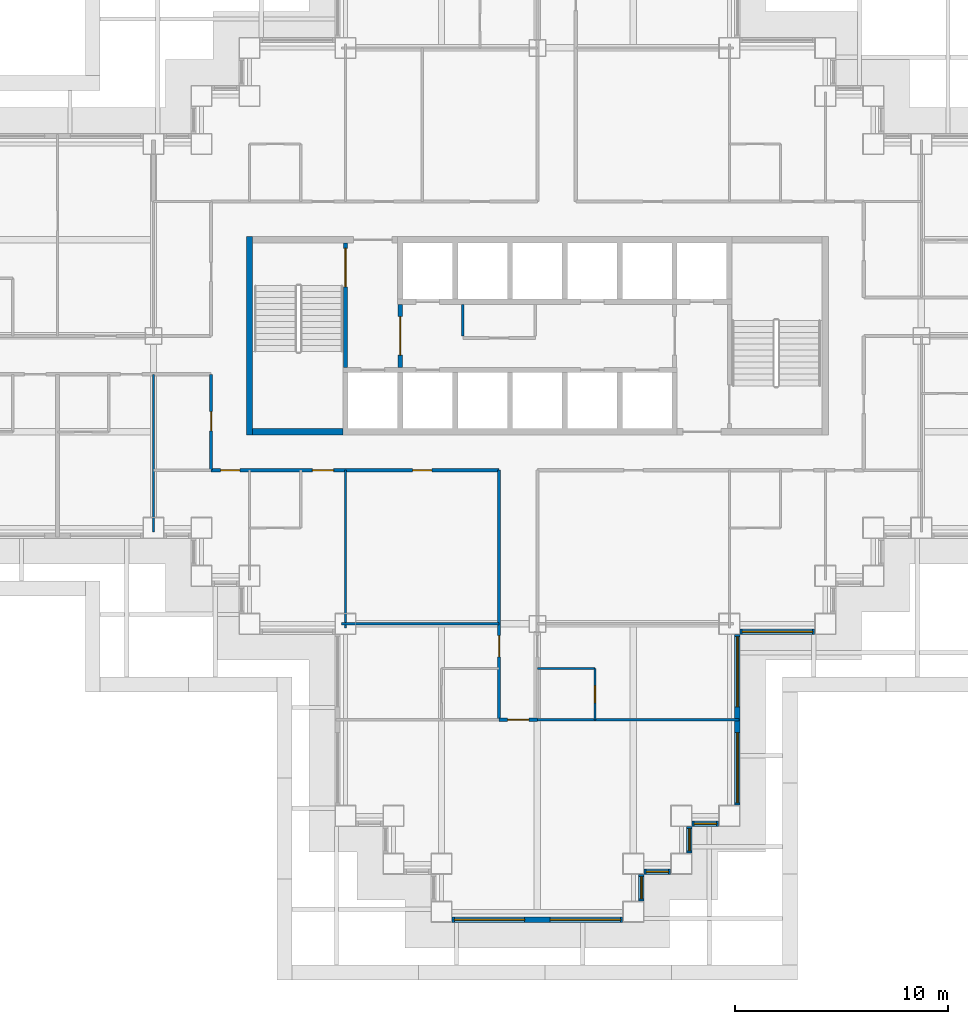
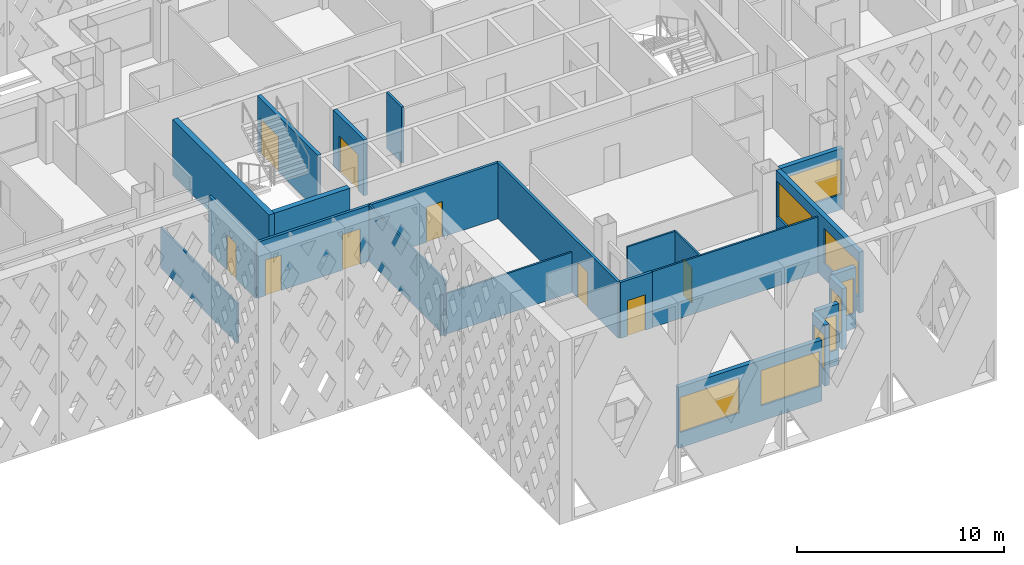
# One storey, part 4 of 19: 22 walls, 9 doors, 9 windows, 18 openings.
"""IFC4 building model written with IfcOpenShell, lengths in metres."""

from ifc_helpers import new_model, si_unit, direction, frame, frame_2d, origin, place, context, subcontext, project, spatial, rectangle, extrude, material, layer, layer_set, type_object, element, fill, save


model = new_model("IFC4")

# Units and contexts
model_context = context("Model", 3, precision=1e-05, world=origin(), true_north=direction((0.0, 1.0)))
body_context = subcontext(model_context, "Body", "Model", "MODEL_VIEW")
ifc_project = project(units=[si_unit("LENGTHUNIT", "METRE"), si_unit("AREAUNIT", "SQUARE_METRE"), si_unit("VOLUMEUNIT", "CUBIC_METRE"), si_unit("PLANEANGLEUNIT", "RADIAN"), si_unit("MASSUNIT", "GRAM", prefix="KILO")], contexts=[model_context])

# Site, building, storey
site_placement = place(None, origin())
site = spatial("IfcSite", under=ifc_project, at=site_placement, CompositionType="ELEMENT")
building_placement = place(site_placement, origin())
building = spatial("IfcBuilding", under=site, at=building_placement, Name="Caravel Reach Hotel and Residences", CompositionType="ELEMENT")
storey_placement = place(building_placement, frame((0.0, 0.0, 74.39990234375)))
storey = spatial("IfcBuildingStorey", under=building, at=storey_placement, Name="L17", CompositionType="ELEMENT", Elevation=74.39990234375)

# Wall
ifc_material_1 = material(Name="Gypsum board on steel stud", Category="steel")
ifc_layer_1 = layer(ifc_material_1, 0.10009765625)
ifc_layer_set_1 = layer_set([ifc_layer_1], Name="Bathroom pod wall 100 mm")
wall_type_1 = type_object("IfcWallType", Name="Bathroom pod wall 100 mm", PredefinedType="PARTITIONING", material=ifc_layer_set_1)
wall_1_placement = place(storey_placement, frame((31.5, 11.39990234375, 0.0), z_axis=(0.0, 0.0, 1.0), x_axis=(1.0, 0.0, 0.0)))
element("IfcWall", 1, at=wall_1_placement, inside=storey, type_object=wall_type_1, Name="L17 wall w082", PredefinedType="PARTITIONING", context=body_context, shape_type="SweptSolid", body=[
    extrude(rectangle(XDim=2.699951171875, YDim=0.10009765625, at=frame_2d((1.35009765625, 0.0))), origin(), (0.0, 0.0, 1.0), 3.300048828125),
])

# Wall, opening, door
wall_2_placement = place(storey_placement, frame((34.199951171875, 9.0, 0.0), z_axis=(0.0, 0.0, 1.0), x_axis=(0.0, 1.0, 0.0)))
wall_2 = element("IfcWall", 2, at=wall_2_placement, inside=storey, type_object=wall_type_1, Name="L17 wall w107", PredefinedType="PARTITIONING", context=body_context, shape_type="SweptSolid", body=[
    extrude(rectangle(XDim=2.39990234375, YDim=0.10009765625, at=frame_2d((1.199951171875, 0.0))), origin(), (0.0, 0.0, 1.0), 3.300048828125),
])
opening_1_placement = place(wall_2_placement, frame((0.800048828125, 0.0, 0.0)))
opening_1 = element("IfcOpeningElement", 3, at=opening_1_placement, cuts=wall_2, Name="Opening D17-040", PredefinedType="OPENING", context=body_context, shape_type="SweptSolid", body=[
    extrude(rectangle(XDim=0.800048828125, YDim=2.10009765625, at=frame_2d((0.39990234375, 1.050048828125))), frame((0.0, 0.06005859375, 0.0), z_axis=(0.0, -1.0, 0.0), x_axis=(1.0, 0.0, 0.0)), (0.0, 0.0, 1.0), 0.1201171875),
])
ifc_material_2 = material(Name="Timber and steel door leaf", Category="steel")
door_type_1 = type_object("IfcDoorType", Name="Bathroom door 800 x 2100", OperationType="SINGLE_SWING_LEFT", PredefinedType="DOOR", material=ifc_material_2)
door_1_placement = place(opening_1_placement, origin())
door_1 = element("IfcDoor", 4, at=door_1_placement, inside=storey, type_object=door_type_1, Name="door D17-040", OperationType="SINGLE_SWING_LEFT", OverallHeight=2.10009765625, OverallWidth=0.800048828125, PredefinedType="DOOR", context=body_context, shape_type="SweptSolid", body=[
    extrude(rectangle(XDim=0.800048828125, YDim=2.10009765625, at=frame_2d((0.39990234375, 1.050048828125))), frame((0.0, 0.02490234375, 0.0), z_axis=(0.0, -1.0, 0.0), x_axis=(1.0, 0.0, 0.0)), (0.0, 0.0, 1.0), 0.050048828125),
])
fill(opening_1, door_1)

# Walls
ifc_material_3 = material(Name="Concrete C60", Category="concrete")
ifc_layer_2 = layer(ifc_material_3, 0.300048828125)
ifc_layer_set_2 = layer_set([ifc_layer_2], Name="Core wall 300 mm EI 120")
wall_type_2 = type_object("IfcWallType", Name="Core wall 300 mm EI 120", PredefinedType="SHEAR", material=ifc_layer_set_2)
wall_3_placement = place(storey_placement, frame((18.14990234375, 22.5, 0.0), z_axis=(0.0, 0.0, 1.0), x_axis=(1.0, 0.0, 0.0)))
element("IfcWall", 5, at=wall_3_placement, inside=storey, type_object=wall_type_2, Name="L17 core wall S1", PredefinedType="SHEAR", context=body_context, shape_type="SweptSolid", body=[
    extrude(rectangle(XDim=4.22509765625, YDim=0.300048828125, at=frame_2d((2.112548828125, 0.0))), origin(), (0.0, 0.0, 1.0), 3.300048828125),
])
wall_4_placement = place(storey_placement, frame((18.0, 22.35009765625, 0.0), z_axis=(0.0, 0.0, 1.0), x_axis=(0.0, 1.0, 0.0)))
element("IfcWall", 6, at=wall_4_placement, inside=storey, type_object=wall_type_2, Name="L17 core wall W", PredefinedType="SHEAR", context=body_context, shape_type="SweptSolid", body=[
    extrude(rectangle(XDim=9.2998046875, YDim=0.300048828125, at=frame_2d((4.64990234375, 0.0))), origin(), (0.0, 0.0, 1.0), 3.300048828125),
])

# Wall, openings, doors
ifc_material_4 = material(Name="Gypsum board on steel stud, fire-rated", Category="steel")
ifc_layer_3 = layer(ifc_material_4, 0.14990234375)
ifc_layer_set_3 = layer_set([ifc_layer_3], Name="Corridor wall 150 mm EI 60")
wall_type_3 = type_object("IfcWallType", Name="Corridor wall 150 mm EI 60", PredefinedType="PARTITIONING", material=ifc_layer_set_3)
wall_5_placement = place(storey_placement, frame((16.199951171875, 20.699951171875, 0.0), z_axis=(0.0, 0.0, 1.0), x_axis=(1.0, 0.0, 0.0)))
wall_5 = element("IfcWall", 7, at=wall_5_placement, inside=storey, type_object=wall_type_3, Name="L17 wall w005", PredefinedType="PARTITIONING", context=body_context, shape_type="SweptSolid", body=[
    extrude(rectangle(XDim=13.5, YDim=0.14990234375, at=frame_2d((6.75, 0.0))), origin(), (0.0, 0.0, 1.0), 3.300048828125),
])
opening_2_placement = place(wall_5_placement, frame((4.75, 0.0, 0.0)))
opening_2 = element("IfcOpeningElement", 8, at=opening_2_placement, cuts=wall_5, Name="Opening D17-051", PredefinedType="OPENING", context=body_context, shape_type="SweptSolid", body=[
    extrude(rectangle(XDim=1.0, YDim=2.10009765625, at=frame_2d((0.5, 1.050048828125))), frame((0.0, 0.0849609375, 0.0), z_axis=(0.0, -1.0, 0.0), x_axis=(1.0, 0.0, 0.0)), (0.0, 0.0, 1.0), 0.169921875),
])
opening_3_placement = place(wall_5_placement, frame((0.449951171875, 0.0, 0.0)))
opening_3 = element("IfcOpeningElement", 9, at=opening_3_placement, cuts=wall_5, Name="Opening D17-053", PredefinedType="OPENING", context=body_context, shape_type="SweptSolid", body=[
    extrude(rectangle(XDim=0.89990234375, YDim=2.10009765625, at=frame_2d((0.449951171875, 1.050048828125))), frame((0.0, 0.0849609375, 0.0), z_axis=(0.0, -1.0, 0.0), x_axis=(1.0, 0.0, 0.0)), (0.0, 0.0, 1.0), 0.169921875),
])
opening_4_placement = place(wall_5_placement, frame((9.449951171875, 0.0, 0.0)))
opening_4 = element("IfcOpeningElement", 10, at=opening_4_placement, cuts=wall_5, Name="Opening D17-060", PredefinedType="OPENING", context=body_context, shape_type="SweptSolid", body=[
    extrude(rectangle(XDim=0.89990234375, YDim=2.10009765625, at=frame_2d((0.449951171875, 1.050048828125))), frame((0.0, 0.0849609375, 0.0), z_axis=(0.0, -1.0, 0.0), x_axis=(1.0, 0.0, 0.0)), (0.0, 0.0, 1.0), 0.169921875),
])
ifc_material_5 = material(Name="Timber and steel door leaf", Category="steel")
door_type_2 = type_object("IfcDoorType", Name="Door 900 x 2100 timber", OperationType="SINGLE_SWING_LEFT", PredefinedType="DOOR", material=ifc_material_5)
door_2_placement = place(opening_3_placement, origin())
door_2 = element("IfcDoor", 11, at=door_2_placement, inside=storey, type_object=door_type_2, Name="door D17-053", OperationType="SINGLE_SWING_RIGHT", OverallHeight=2.10009765625, OverallWidth=0.89990234375, PredefinedType="DOOR", context=body_context, shape_type="SweptSolid", body=[
    extrude(rectangle(XDim=0.89990234375, YDim=2.10009765625, at=frame_2d((0.449951171875, 1.050048828125))), frame((0.0, 0.02490234375, 0.0), z_axis=(0.0, -1.0, 0.0), x_axis=(1.0, 0.0, 0.0)), (0.0, 0.0, 1.0), 0.050048828125),
])
fill(opening_3, door_2)
door_3_placement = place(opening_4_placement, origin())
door_3 = element("IfcDoor", 12, at=door_3_placement, inside=storey, type_object=door_type_2, Name="door D17-060", OperationType="SINGLE_SWING_LEFT", OverallHeight=2.10009765625, OverallWidth=0.89990234375, PredefinedType="DOOR", context=body_context, shape_type="SweptSolid", body=[
    extrude(rectangle(XDim=0.89990234375, YDim=2.10009765625, at=frame_2d((0.449951171875, 1.050048828125))), frame((0.0, 0.02490234375, 0.0), z_axis=(0.0, -1.0, 0.0), x_axis=(1.0, 0.0, 0.0)), (0.0, 0.0, 1.0), 0.050048828125),
])
fill(opening_4, door_3)
ifc_material_6 = material(Name="Steel fire door leaf", Category="steel")
door_type_3 = type_object("IfcDoorType", Name="Guest room door 1000 x 2100 EI 30", OperationType="SINGLE_SWING_LEFT", PredefinedType="DOOR", material=ifc_material_6)
door_4_placement = place(opening_2_placement, origin())
door_4 = element("IfcDoor", 13, at=door_4_placement, inside=storey, type_object=door_type_3, Name="door D17-051", OperationType="SINGLE_SWING_RIGHT", OverallHeight=2.10009765625, OverallWidth=1.0, PredefinedType="DOOR", context=body_context, shape_type="SweptSolid", body=[
    extrude(rectangle(XDim=1.0, YDim=2.10009765625, at=frame_2d((0.5, 1.050048828125))), frame((0.0, 0.02490234375, 0.0), z_axis=(0.0, -1.0, 0.0), x_axis=(1.0, 0.0, 0.0)), (0.0, 0.0, 1.0), 0.050048828125),
])
fill(opening_2, door_4)

# Wall, opening, door
wall_6_placement = place(storey_placement, frame((29.699951171875, 9.0, 0.0), z_axis=(0.0, 0.0, 1.0), x_axis=(1.0, 0.0, 0.0)))
wall_6 = element("IfcWall", 14, at=wall_6_placement, inside=storey, type_object=wall_type_3, Name="L17 wall w026", PredefinedType="PARTITIONING", context=body_context, shape_type="SweptSolid", body=[
    extrude(rectangle(XDim=1.800048828125, YDim=0.14990234375, at=frame_2d((0.89990234375, 0.0))), origin(), (0.0, 0.0, 1.0), 3.300048828125),
])
opening_5_placement = place(wall_6_placement, frame((0.39990234375, 0.0, 0.0)))
opening_5 = element("IfcOpeningElement", 15, at=opening_5_placement, cuts=wall_6, Name="Opening D17-045", PredefinedType="OPENING", context=body_context, shape_type="SweptSolid", body=[
    extrude(rectangle(XDim=1.0, YDim=2.10009765625, at=frame_2d((0.5, 1.050048828125))), frame((0.0, 0.0849609375, 0.0), z_axis=(0.0, -1.0, 0.0), x_axis=(1.0, 0.0, 0.0)), (0.0, 0.0, 1.0), 0.169921875),
])
door_5_placement = place(opening_5_placement, origin())
door_5 = element("IfcDoor", 16, at=door_5_placement, inside=storey, type_object=door_type_3, Name="door D17-045", OperationType="SINGLE_SWING_LEFT", OverallHeight=2.10009765625, OverallWidth=1.0, PredefinedType="DOOR", context=body_context, shape_type="SweptSolid", body=[
    extrude(rectangle(XDim=1.0, YDim=2.10009765625, at=frame_2d((0.5, 1.050048828125))), frame((0.0, 0.02490234375, 0.0), z_axis=(0.0, -1.0, 0.0), x_axis=(1.0, 0.0, 0.0)), (0.0, 0.0, 1.0), 0.050048828125),
])
fill(opening_5, door_5)

wall_7_placement = place(storey_placement, frame((16.199951171875, 20.699951171875, 0.0), z_axis=(0.0, 0.0, 1.0), x_axis=(0.0, 1.0, 0.0)))
wall_7 = element("IfcWall", 17, at=wall_7_placement, inside=storey, type_object=wall_type_3, Name="L17 wall w028", PredefinedType="PARTITIONING", context=body_context, shape_type="SweptSolid", body=[
    extrude(rectangle(XDim=4.5, YDim=0.14990234375, at=frame_2d((2.25, 0.0))), origin(), (0.0, 0.0, 1.0), 3.300048828125),
])
opening_6_placement = place(wall_7_placement, frame((1.85009765625, 0.0, 0.0)))
opening_6 = element("IfcOpeningElement", 18, at=opening_6_placement, cuts=wall_7, Name="Opening D17-062", PredefinedType="OPENING", context=body_context, shape_type="SweptSolid", body=[
    extrude(rectangle(XDim=0.89990234375, YDim=2.10009765625, at=frame_2d((0.449951171875, 1.050048828125))), frame((0.0, 0.0849609375, 0.0), z_axis=(0.0, -1.0, 0.0), x_axis=(1.0, 0.0, 0.0)), (0.0, 0.0, 1.0), 0.169921875),
])
door_6_placement = place(opening_6_placement, origin())
door_6 = element("IfcDoor", 19, at=door_6_placement, inside=storey, type_object=door_type_2, Name="door D17-062", OperationType="SINGLE_SWING_RIGHT", OverallHeight=2.10009765625, OverallWidth=0.89990234375, PredefinedType="DOOR", context=body_context, shape_type="SweptSolid", body=[
    extrude(rectangle(XDim=0.89990234375, YDim=2.10009765625, at=frame_2d((0.449951171875, 1.050048828125))), frame((0.0, 0.02490234375, 0.0), z_axis=(0.0, -1.0, 0.0), x_axis=(1.0, 0.0, 0.0)), (0.0, 0.0, 1.0), 0.050048828125),
])
fill(opening_6, door_6)

wall_8_placement = place(storey_placement, frame((29.699951171875, 9.0, 0.0), z_axis=(0.0, 0.0, 1.0), x_axis=(0.0, 1.0, 0.0)))
wall_8 = element("IfcWall", 20, at=wall_8_placement, inside=storey, type_object=wall_type_3, Name="L17 wall w029", PredefinedType="PARTITIONING", context=body_context, shape_type="SweptSolid", body=[
    extrude(rectangle(XDim=11.699951171875, YDim=0.14990234375, at=frame_2d((5.85009765625, 0.0))), origin(), (0.0, 0.0, 1.0), 3.300048828125),
])
opening_7_placement = place(wall_8_placement, frame((2.949951171875, 0.0, 0.0)))
opening_7 = element("IfcOpeningElement", 21, at=opening_7_placement, cuts=wall_8, Name="Opening D17-037", PredefinedType="OPENING", context=body_context, shape_type="SweptSolid", body=[
    extrude(rectangle(XDim=1.0, YDim=2.10009765625, at=frame_2d((0.5, 1.050048828125))), frame((0.0, 0.0849609375, 0.0), z_axis=(0.0, -1.0, 0.0), x_axis=(1.0, 0.0, 0.0)), (0.0, 0.0, 1.0), 0.169921875),
])
door_7_placement = place(opening_7_placement, origin())
door_7 = element("IfcDoor", 22, at=door_7_placement, inside=storey, type_object=door_type_3, Name="door D17-037", OperationType="SINGLE_SWING_RIGHT", OverallHeight=2.10009765625, OverallWidth=1.0, PredefinedType="DOOR", context=body_context, shape_type="SweptSolid", body=[
    extrude(rectangle(XDim=1.0, YDim=2.10009765625, at=frame_2d((0.5, 1.050048828125))), frame((0.0, 0.02490234375, 0.0), z_axis=(0.0, -1.0, 0.0), x_axis=(1.0, 0.0, 0.0)), (0.0, 0.0, 1.0), 0.050048828125),
])
fill(opening_7, door_7)

# Wall, openings, windows
ifc_material_7 = material(Name="Insulated rainscreen wall, aluminium cladding", Category="aluminium")
ifc_layer_4 = layer(ifc_material_7, 0.25)
ifc_layer_set_4 = layer_set([ifc_layer_4], Name="EW1 Tower rainscreen wall")
wall_type_4 = type_object("IfcWallType", Name="EW1 Tower rainscreen wall", PredefinedType="SOLIDWALL", material=ifc_layer_set_4)
wall_9_placement = place(storey_placement, frame((27.5, -0.375, 0.0), z_axis=(0.0, 0.0, 1.0), x_axis=(1.0, 0.0, 0.0)))
wall_9 = element("IfcWall", 23, at=wall_9_placement, inside=storey, type_object=wall_type_4, Name="External wall L17 S5.1", PredefinedType="SOLIDWALL", context=body_context, shape_type="SweptSolid", body=[
    extrude(rectangle(XDim=8.0, YDim=0.25, at=frame_2d((4.0, 0.0))), origin(), (0.0, 0.0, 1.0), 3.60009765625),
])
opening_8_placement = place(wall_9_placement, frame((0.10009765625, 0.0, 0.89990234375)))
opening_8 = element("IfcOpeningElement", 24, at=opening_8_placement, cuts=wall_9, Name="Opening WN4", PredefinedType="OPENING", context=body_context, shape_type="SweptSolid", body=[
    extrude(rectangle(XDim=3.300048828125, YDim=2.080078125, at=frame_2d((1.64990234375, 1.0400390625))), frame((0.0, 0.135009765625, 0.0), z_axis=(0.0, -1.0, 0.0), x_axis=(1.0, 0.0, 0.0)), (0.0, 0.0, 1.0), 0.27001953125),
])
opening_9_placement = place(wall_9_placement, frame((4.60009765625, 0.0, 0.89990234375)))
opening_9 = element("IfcOpeningElement", 25, at=opening_9_placement, cuts=wall_9, Name="Opening WN4", PredefinedType="OPENING", context=body_context, shape_type="SweptSolid", body=[
    extrude(rectangle(XDim=3.300048828125, YDim=2.080078125, at=frame_2d((1.64990234375, 1.0400390625))), frame((0.0, 0.135009765625, 0.0), z_axis=(0.0, -1.0, 0.0), x_axis=(1.0, 0.0, 0.0)), (0.0, 0.0, 1.0), 0.27001953125),
])
ifc_material_8 = material(Name="Dark low-e glazing in black aluminium frame", Category="aluminium")
window_type_1 = type_object("IfcWindowType", Name="Hotel guest room window 3300 x 2080", PartitioningType="SINGLE_PANEL", PredefinedType="WINDOW", material=ifc_material_8)
window_1_placement = place(opening_8_placement, origin())
window_1 = element("IfcWindow", 26, at=window_1_placement, inside=storey, type_object=window_type_1, Name="Window L17 S5.1.1", OverallHeight=2.080078125, OverallWidth=3.300048828125, PartitioningType="SINGLE_PANEL", PredefinedType="WINDOW", context=body_context, shape_type="SweptSolid", body=[
    extrude(rectangle(XDim=3.300048828125, YDim=2.080078125, at=frame_2d((1.64990234375, 1.0400390625))), frame((0.0, 0.030029296875, 0.0), z_axis=(0.0, -1.0, 0.0), x_axis=(1.0, 0.0, 0.0)), (0.0, 0.0, 1.0), 0.06005859375),
])
fill(opening_8, window_1)
window_2_placement = place(opening_9_placement, origin())
window_2 = element("IfcWindow", 27, at=window_2_placement, inside=storey, type_object=window_type_1, Name="Window L17 S5.1.2", OverallHeight=2.080078125, OverallWidth=3.300048828125, PartitioningType="SINGLE_PANEL", PredefinedType="WINDOW", context=body_context, shape_type="SweptSolid", body=[
    extrude(rectangle(XDim=3.300048828125, YDim=2.080078125, at=frame_2d((1.64990234375, 1.0400390625))), frame((0.0, 0.030029296875, 0.0), z_axis=(0.0, -1.0, 0.0), x_axis=(1.0, 0.0, 0.0)), (0.0, 0.0, 1.0), 0.06005859375),
])
fill(opening_9, window_2)

# Wall, opening, window
wall_10_placement = place(storey_placement, frame((36.375, 0.5, 0.0), z_axis=(0.0, 0.0, 1.0), x_axis=(0.0, 1.0, 0.0)))
wall_10 = element("IfcWall", 28, at=wall_10_placement, inside=storey, type_object=wall_type_4, Name="External wall L17 E6.1", PredefinedType="SOLIDWALL", context=body_context, shape_type="SweptSolid", body=[
    extrude(rectangle(XDim=1.25, YDim=0.25, at=frame_2d((0.625, 0.0))), origin(), (0.0, 0.0, 1.0), 3.60009765625),
])
opening_10_placement = place(wall_10_placement, frame((0.10009765625, 0.0, 0.89990234375)))
opening_10 = element("IfcOpeningElement", 29, at=opening_10_placement, cuts=wall_10, Name="Opening WN3", PredefinedType="OPENING", context=body_context, shape_type="SweptSolid", body=[
    extrude(rectangle(XDim=1.050048828125, YDim=2.080078125, at=frame_2d((0.52490234375, 1.0400390625))), frame((0.0, 0.135009765625, 0.0), z_axis=(0.0, -1.0, 0.0), x_axis=(1.0, 0.0, 0.0)), (0.0, 0.0, 1.0), 0.27001953125),
])
ifc_material_9 = material(Name="Dark low-e glazing in black aluminium frame", Category="aluminium")
window_type_2 = type_object("IfcWindowType", Name="Hotel suite corner window 1050 x 2080", PartitioningType="SINGLE_PANEL", PredefinedType="WINDOW", material=ifc_material_9)
window_3_placement = place(opening_10_placement, origin())
window_3 = element("IfcWindow", 30, at=window_3_placement, inside=storey, type_object=window_type_2, Name="Window L17 E6.1.1", OverallHeight=2.080078125, OverallWidth=1.050048828125, PartitioningType="SINGLE_PANEL", PredefinedType="WINDOW", context=body_context, shape_type="SweptSolid", body=[
    extrude(rectangle(XDim=1.050048828125, YDim=2.080078125, at=frame_2d((0.52490234375, 1.0400390625))), frame((0.0, 0.030029296875, 0.0), z_axis=(0.0, -1.0, 0.0), x_axis=(1.0, 0.0, 0.0)), (0.0, 0.0, 1.0), 0.06005859375),
])
fill(opening_10, window_3)

wall_11_placement = place(storey_placement, frame((36.5, 1.875, 0.0), z_axis=(0.0, 0.0, 1.0), x_axis=(1.0, 0.0, 0.0)))
wall_11 = element("IfcWall", 31, at=wall_11_placement, inside=storey, type_object=wall_type_4, Name="External wall L17 S7.1", PredefinedType="SOLIDWALL", context=body_context, shape_type="SweptSolid", body=[
    extrude(rectangle(XDim=1.25, YDim=0.25, at=frame_2d((0.625, 0.0))), origin(), (0.0, 0.0, 1.0), 3.60009765625),
])
opening_11_placement = place(wall_11_placement, frame((0.10009765625, 0.0, 0.89990234375)))
opening_11 = element("IfcOpeningElement", 32, at=opening_11_placement, cuts=wall_11, Name="Opening WN3", PredefinedType="OPENING", context=body_context, shape_type="SweptSolid", body=[
    extrude(rectangle(XDim=1.050048828125, YDim=2.080078125, at=frame_2d((0.52490234375, 1.0400390625))), frame((0.0, 0.135009765625, 0.0), z_axis=(0.0, -1.0, 0.0), x_axis=(1.0, 0.0, 0.0)), (0.0, 0.0, 1.0), 0.27001953125),
])
window_4_placement = place(opening_11_placement, origin())
window_4 = element("IfcWindow", 33, at=window_4_placement, inside=storey, type_object=window_type_2, Name="Window L17 S7.1.1", OverallHeight=2.080078125, OverallWidth=1.050048828125, PartitioningType="SINGLE_PANEL", PredefinedType="WINDOW", context=body_context, shape_type="SweptSolid", body=[
    extrude(rectangle(XDim=1.050048828125, YDim=2.080078125, at=frame_2d((0.52490234375, 1.0400390625))), frame((0.0, 0.030029296875, 0.0), z_axis=(0.0, -1.0, 0.0), x_axis=(1.0, 0.0, 0.0)), (0.0, 0.0, 1.0), 0.06005859375),
])
fill(opening_11, window_4)

wall_12_placement = place(storey_placement, frame((38.625, 2.75, 0.0), z_axis=(0.0, 0.0, 1.0), x_axis=(0.0, 1.0, 0.0)))
wall_12 = element("IfcWall", 34, at=wall_12_placement, inside=storey, type_object=wall_type_4, Name="External wall L17 E8.1", PredefinedType="SOLIDWALL", context=body_context, shape_type="SweptSolid", body=[
    extrude(rectangle(XDim=1.25, YDim=0.25, at=frame_2d((0.625, 0.0))), origin(), (0.0, 0.0, 1.0), 3.60009765625),
])
opening_12_placement = place(wall_12_placement, frame((0.10009765625, 0.0, 0.89990234375)))
opening_12 = element("IfcOpeningElement", 35, at=opening_12_placement, cuts=wall_12, Name="Opening WN3", PredefinedType="OPENING", context=body_context, shape_type="SweptSolid", body=[
    extrude(rectangle(XDim=1.050048828125, YDim=2.080078125, at=frame_2d((0.52490234375, 1.0400390625))), frame((0.0, 0.135009765625, 0.0), z_axis=(0.0, -1.0, 0.0), x_axis=(1.0, 0.0, 0.0)), (0.0, 0.0, 1.0), 0.27001953125),
])
window_5_placement = place(opening_12_placement, origin())
window_5 = element("IfcWindow", 36, at=window_5_placement, inside=storey, type_object=window_type_2, Name="Window L17 E8.1.1", OverallHeight=2.080078125, OverallWidth=1.050048828125, PartitioningType="SINGLE_PANEL", PredefinedType="WINDOW", context=body_context, shape_type="SweptSolid", body=[
    extrude(rectangle(XDim=1.050048828125, YDim=2.080078125, at=frame_2d((0.52490234375, 1.0400390625))), frame((0.0, 0.030029296875, 0.0), z_axis=(0.0, -1.0, 0.0), x_axis=(1.0, 0.0, 0.0)), (0.0, 0.0, 1.0), 0.06005859375),
])
fill(opening_12, window_5)

wall_13_placement = place(storey_placement, frame((38.75, 4.125, 0.0), z_axis=(0.0, 0.0, 1.0), x_axis=(1.0, 0.0, 0.0)))
wall_13 = element("IfcWall", 37, at=wall_13_placement, inside=storey, type_object=wall_type_4, Name="External wall L17 S9.1", PredefinedType="SOLIDWALL", context=body_context, shape_type="SweptSolid", body=[
    extrude(rectangle(XDim=1.25, YDim=0.25, at=frame_2d((0.625, 0.0))), origin(), (0.0, 0.0, 1.0), 3.60009765625),
])
opening_13_placement = place(wall_13_placement, frame((0.10009765625, 0.0, 0.89990234375)))
opening_13 = element("IfcOpeningElement", 38, at=opening_13_placement, cuts=wall_13, Name="Opening WN3", PredefinedType="OPENING", context=body_context, shape_type="SweptSolid", body=[
    extrude(rectangle(XDim=1.050048828125, YDim=2.080078125, at=frame_2d((0.52490234375, 1.0400390625))), frame((0.0, 0.135009765625, 0.0), z_axis=(0.0, -1.0, 0.0), x_axis=(1.0, 0.0, 0.0)), (0.0, 0.0, 1.0), 0.27001953125),
])
window_6_placement = place(opening_13_placement, origin())
window_6 = element("IfcWindow", 39, at=window_6_placement, inside=storey, type_object=window_type_2, Name="Window L17 S9.1.1", OverallHeight=2.080078125, OverallWidth=1.050048828125, PartitioningType="SINGLE_PANEL", PredefinedType="WINDOW", context=body_context, shape_type="SweptSolid", body=[
    extrude(rectangle(XDim=1.050048828125, YDim=2.080078125, at=frame_2d((0.52490234375, 1.0400390625))), frame((0.0, 0.030029296875, 0.0), z_axis=(0.0, -1.0, 0.0), x_axis=(1.0, 0.0, 0.0)), (0.0, 0.0, 1.0), 0.06005859375),
])
fill(opening_13, window_6)

# Wall, openings, windows
wall_14_placement = place(storey_placement, frame((40.875, 5.0, 0.0), z_axis=(0.0, 0.0, 1.0), x_axis=(0.0, 1.0, 0.0)))
wall_14 = element("IfcWall", 40, at=wall_14_placement, inside=storey, type_object=wall_type_4, Name="External wall L17 E10.1", PredefinedType="SOLIDWALL", context=body_context, shape_type="SweptSolid", body=[
    extrude(rectangle(XDim=8.0, YDim=0.25, at=frame_2d((4.0, 0.0))), origin(), (0.0, 0.0, 1.0), 3.60009765625),
])
opening_14_placement = place(wall_14_placement, frame((0.10009765625, 0.0, 0.89990234375)))
opening_14 = element("IfcOpeningElement", 41, at=opening_14_placement, cuts=wall_14, Name="Opening WN4", PredefinedType="OPENING", context=body_context, shape_type="SweptSolid", body=[
    extrude(rectangle(XDim=3.300048828125, YDim=2.080078125, at=frame_2d((1.64990234375, 1.0400390625))), frame((0.0, 0.135009765625, 0.0), z_axis=(0.0, -1.0, 0.0), x_axis=(1.0, 0.0, 0.0)), (0.0, 0.0, 1.0), 0.27001953125),
])
opening_15_placement = place(wall_14_placement, frame((4.60009765625, 0.0, 0.89990234375)))
opening_15 = element("IfcOpeningElement", 42, at=opening_15_placement, cuts=wall_14, Name="Opening WN4", PredefinedType="OPENING", context=body_context, shape_type="SweptSolid", body=[
    extrude(rectangle(XDim=3.300048828125, YDim=2.080078125, at=frame_2d((1.64990234375, 1.0400390625))), frame((0.0, 0.135009765625, 0.0), z_axis=(0.0, -1.0, 0.0), x_axis=(1.0, 0.0, 0.0)), (0.0, 0.0, 1.0), 0.27001953125),
])
window_7_placement = place(opening_14_placement, origin())
window_7 = element("IfcWindow", 43, at=window_7_placement, inside=storey, type_object=window_type_1, Name="Window L17 E10.1.1", OverallHeight=2.080078125, OverallWidth=3.300048828125, PartitioningType="SINGLE_PANEL", PredefinedType="WINDOW", context=body_context, shape_type="SweptSolid", body=[
    extrude(rectangle(XDim=3.300048828125, YDim=2.080078125, at=frame_2d((1.64990234375, 1.0400390625))), frame((0.0, 0.030029296875, 0.0), z_axis=(0.0, -1.0, 0.0), x_axis=(1.0, 0.0, 0.0)), (0.0, 0.0, 1.0), 0.06005859375),
])
fill(opening_14, window_7)
window_8_placement = place(opening_15_placement, origin())
window_8 = element("IfcWindow", 44, at=window_8_placement, inside=storey, type_object=window_type_1, Name="Window L17 E10.1.2", OverallHeight=2.080078125, OverallWidth=3.300048828125, PartitioningType="SINGLE_PANEL", PredefinedType="WINDOW", context=body_context, shape_type="SweptSolid", body=[
    extrude(rectangle(XDim=3.300048828125, YDim=2.080078125, at=frame_2d((1.64990234375, 1.0400390625))), frame((0.0, 0.030029296875, 0.0), z_axis=(0.0, -1.0, 0.0), x_axis=(1.0, 0.0, 0.0)), (0.0, 0.0, 1.0), 0.06005859375),
])
fill(opening_15, window_8)

# Wall, opening, window
wall_15_placement = place(storey_placement, frame((41.0, 13.125, 0.0), z_axis=(0.0, 0.0, 1.0), x_axis=(1.0, 0.0, 0.0)))
wall_15 = element("IfcWall", 45, at=wall_15_placement, inside=storey, type_object=wall_type_4, Name="External wall L17 S11.1", PredefinedType="SOLIDWALL", context=body_context, shape_type="SweptSolid", body=[
    extrude(rectangle(XDim=3.5, YDim=0.25, at=frame_2d((1.75, 0.0))), origin(), (0.0, 0.0, 1.0), 3.60009765625),
])
opening_16_placement = place(wall_15_placement, frame((0.10009765625, 0.0, 0.89990234375)))
opening_16 = element("IfcOpeningElement", 46, at=opening_16_placement, cuts=wall_15, Name="Opening WN4", PredefinedType="OPENING", context=body_context, shape_type="SweptSolid", body=[
    extrude(rectangle(XDim=3.300048828125, YDim=2.080078125, at=frame_2d((1.64990234375, 1.0400390625))), frame((0.0, 0.135009765625, 0.0), z_axis=(0.0, -1.0, 0.0), x_axis=(1.0, 0.0, 0.0)), (0.0, 0.0, 1.0), 0.27001953125),
])
window_9_placement = place(opening_16_placement, origin())
window_9 = element("IfcWindow", 47, at=window_9_placement, inside=storey, type_object=window_type_1, Name="Window L17 S11.1.1", OverallHeight=2.080078125, OverallWidth=3.300048828125, PartitioningType="SINGLE_PANEL", PredefinedType="WINDOW", context=body_context, shape_type="SweptSolid", body=[
    extrude(rectangle(XDim=3.300048828125, YDim=2.080078125, at=frame_2d((1.64990234375, 1.0400390625))), frame((0.0, 0.030029296875, 0.0), z_axis=(0.0, -1.0, 0.0), x_axis=(1.0, 0.0, 0.0)), (0.0, 0.0, 1.0), 0.06005859375),
])
fill(opening_16, window_9)

# Wall, opening, door
ifc_material_10 = material(Name="Autoclaved aerated block wall")
ifc_layer_5 = layer(ifc_material_10, 0.199951171875)
ifc_layer_set_5 = layer_set([ifc_layer_5], Name="Fire lobby wall 200 mm EI 120")
wall_type_5 = type_object("IfcWallType", Name="Fire lobby wall 200 mm EI 120", PredefinedType="PARTITIONING", material=ifc_layer_set_5)
wall_16_placement = place(storey_placement, frame((25.071533203125, 25.52490234375, 0.0), z_axis=(0.0, 0.0, 1.0), x_axis=(0.0, 1.0, 0.0)))
wall_16 = element("IfcWall", 48, at=wall_16_placement, inside=storey, type_object=wall_type_5, Name="L17 lobby W wall", PredefinedType="PARTITIONING", context=body_context, shape_type="SweptSolid", body=[
    extrude(rectangle(XDim=2.9501953125, YDim=0.199951171875, at=frame_2d((1.47509765625, 0.0))), origin(), (0.0, 0.0, 1.0), 3.300048828125),
])
opening_17_placement = place(wall_16_placement, frame((0.574951171875, 0.0, 0.0)))
opening_17 = element("IfcOpeningElement", 49, at=opening_17_placement, cuts=wall_16, Name="Opening D17-011", PredefinedType="OPENING", context=body_context, shape_type="SweptSolid", body=[
    extrude(rectangle(XDim=1.800048828125, YDim=2.10009765625, at=frame_2d((0.89990234375, 1.050048828125))), frame((0.0, 0.10986328125, 0.0), z_axis=(0.0, -1.0, 0.0), x_axis=(1.0, 0.0, 0.0)), (0.0, 0.0, 1.0), 0.219970703125),
])
ifc_material_11 = material(Name="Steel fire door leaf", Category="steel")
door_type_4 = type_object("IfcDoorType", Name="Fire lobby door pair 1800 x 2100 EI 90", OperationType="DOUBLE_DOOR_SINGLE_SWING", PredefinedType="DOOR", material=ifc_material_11)
door_8_placement = place(opening_17_placement, origin())
door_8 = element("IfcDoor", 50, at=door_8_placement, inside=storey, type_object=door_type_4, Name="lobby W door pair", OperationType="DOUBLE_DOOR_SINGLE_SWING", OverallHeight=2.10009765625, OverallWidth=1.800048828125, PredefinedType="DOOR", context=body_context, shape_type="SweptSolid", body=[
    extrude(rectangle(XDim=1.800048828125, YDim=2.10009765625, at=frame_2d((0.89990234375, 1.050048828125))), frame((0.0, 0.02490234375, 0.0), z_axis=(0.0, -1.0, 0.0), x_axis=(1.0, 0.0, 0.0)), (0.0, 0.0, 1.0), 0.050048828125),
])
fill(opening_17, door_8)

# Walls
ifc_material_12 = material(Name="Gypsum board on steel stud", Category="steel")
ifc_layer_6 = layer(ifc_material_12, 0.10009765625)
ifc_layer_set_6 = layer_set([ifc_layer_6], Name="Partition 100 mm")
wall_type_6 = type_object("IfcWallType", Name="Partition 100 mm", PredefinedType="PARTITIONING", material=ifc_layer_set_6)
wall_17_placement = place(storey_placement, frame((22.31005859375, 13.5, 0.0), z_axis=(0.0, 0.0, 1.0), x_axis=(1.0, 0.0, 0.0)))
element("IfcWall", 51, at=wall_17_placement, inside=storey, type_object=wall_type_6, Name="L17 wall w044", PredefinedType="PARTITIONING", context=body_context, shape_type="SweptSolid", body=[
    extrude(rectangle(XDim=7.389892578125, YDim=0.10009765625, at=frame_2d((3.69482421875, 0.0))), origin(), (0.0, 0.0, 1.0), 2.380126953125),
])
wall_18_placement = place(storey_placement, frame((31.5, 9.0, 0.0), z_axis=(0.0, 0.0, 1.0), x_axis=(1.0, 0.0, 0.0)))
element("IfcWall", 52, at=wall_18_placement, inside=storey, type_object=wall_type_6, Name="L17 wall w055", PredefinedType="PARTITIONING", context=body_context, shape_type="SweptSolid", body=[
    extrude(rectangle(XDim=9.43994140625, YDim=0.10009765625, at=frame_2d((4.719970703125, 0.0))), origin(), (0.0, 0.0, 1.0), 3.300048828125),
])
wall_19_placement = place(storey_placement, frame((13.5, 17.81005859375, 0.0), z_axis=(0.0, 0.0, 1.0), x_axis=(0.0, 1.0, 0.0)))
element("IfcWall", 53, at=wall_19_placement, inside=storey, type_object=wall_type_6, Name="L17 wall w058", PredefinedType="PARTITIONING", context=body_context, shape_type="SweptSolid", body=[
    extrude(rectangle(XDim=7.389892578125, YDim=0.10009765625, at=frame_2d((3.69482421875, 0.0))), origin(), (0.0, 0.0, 1.0), 2.380126953125),
])
wall_20_placement = place(storey_placement, frame((22.5, 13.31005859375, 0.0), z_axis=(0.0, 0.0, 1.0), x_axis=(0.0, 1.0, 0.0)))
element("IfcWall", 54, at=wall_20_placement, inside=storey, type_object=wall_type_6, Name="L17 wall w062", PredefinedType="PARTITIONING", context=body_context, shape_type="SweptSolid", body=[
    extrude(rectangle(XDim=7.389892578125, YDim=0.10009765625, at=frame_2d((3.69482421875, 0.0))), origin(), (0.0, 0.0, 1.0), 3.300048828125),
])
ifc_material_13 = material(Name="Autoclaved aerated block wall")
ifc_layer_7 = layer(ifc_material_13, 0.125)
ifc_layer_set_7 = layer_set([ifc_layer_7], Name="Riser wall 125 mm EI 60")
wall_type_7 = type_object("IfcWallType", Name="Riser wall 125 mm EI 60", PredefinedType="PARTITIONING", material=ifc_layer_set_7)
wall_21_placement = place(storey_placement, frame((28.0, 28.47509765625, 0.0), z_axis=(0.0, 0.0, 1.0), x_axis=(0.0, -1.0, 0.0)))
element("IfcWall", 55, at=wall_21_placement, inside=storey, type_object=wall_type_7, Name="L17 service room partition N1", PredefinedType="PARTITIONING", context=body_context, shape_type="SweptSolid", body=[
    extrude(rectangle(XDim=1.47509765625, YDim=0.125, at=frame_2d((0.737548828125, 0.0))), origin(), (0.0, 0.0, 1.0), 3.300048828125),
])

# Wall, opening, door
ifc_material_14 = material(Name="Concrete C60", Category="concrete")
ifc_layer_8 = layer(ifc_material_14, 0.199951171875)
ifc_layer_set_8 = layer_set([ifc_layer_8], Name="Stair enclosure wall 200 mm EI 120")
wall_type_8 = type_object("IfcWallType", Name="Stair enclosure wall 200 mm EI 120", PredefinedType="SHEAR", material=ifc_layer_set_8)
wall_22_placement = place(storey_placement, frame((22.5, 31.35009765625, 0.0), z_axis=(0.0, 0.0, 1.0), x_axis=(0.0, -1.0, 0.0)))
wall_22 = element("IfcWall", 56, at=wall_22_placement, inside=storey, type_object=wall_type_8, Name="L17 stair A wall", PredefinedType="SHEAR", context=body_context, shape_type="SweptSolid", body=[
    extrude(rectangle(XDim=5.8251953125, YDim=0.199951171875, at=frame_2d((2.91259765625, 0.0))), origin(), (0.0, 0.0, 1.0), 3.300048828125),
])
opening_18_placement = place(wall_22_placement, frame((0.25, 0.0, 0.0)))
opening_18 = element("IfcOpeningElement", 57, at=opening_18_placement, cuts=wall_22, Name="Opening D17-009", PredefinedType="OPENING", context=body_context, shape_type="SweptSolid", body=[
    extrude(rectangle(XDim=1.800048828125, YDim=2.10009765625, at=frame_2d((0.89990234375, 1.050048828125))), frame((0.0, 0.10986328125, 0.0), z_axis=(0.0, -1.0, 0.0), x_axis=(1.0, 0.0, 0.0)), (0.0, 0.0, 1.0), 0.219970703125),
])
ifc_material_15 = material(Name="Steel fire door leaf", Category="steel")
door_type_5 = type_object("IfcDoorType", Name="Stair door pair 1800 x 2100 EI 90", OperationType="DOUBLE_DOOR_SINGLE_SWING", PredefinedType="DOOR", material=ifc_material_15)
door_9_placement = place(opening_18_placement, origin())
door_9 = element("IfcDoor", 58, at=door_9_placement, inside=storey, type_object=door_type_5, Name="stair A door pair", OperationType="DOUBLE_DOOR_SINGLE_SWING", OverallHeight=2.10009765625, OverallWidth=1.800048828125, PredefinedType="DOOR", context=body_context, shape_type="SweptSolid", body=[
    extrude(rectangle(XDim=1.800048828125, YDim=2.10009765625, at=frame_2d((0.89990234375, 1.050048828125))), frame((0.0, 0.02490234375, 0.0), z_axis=(0.0, -1.0, 0.0), x_axis=(1.0, 0.0, 0.0)), (0.0, 0.0, 1.0), 0.050048828125),
])
fill(opening_18, door_9)

save(model, "model.ifc")
